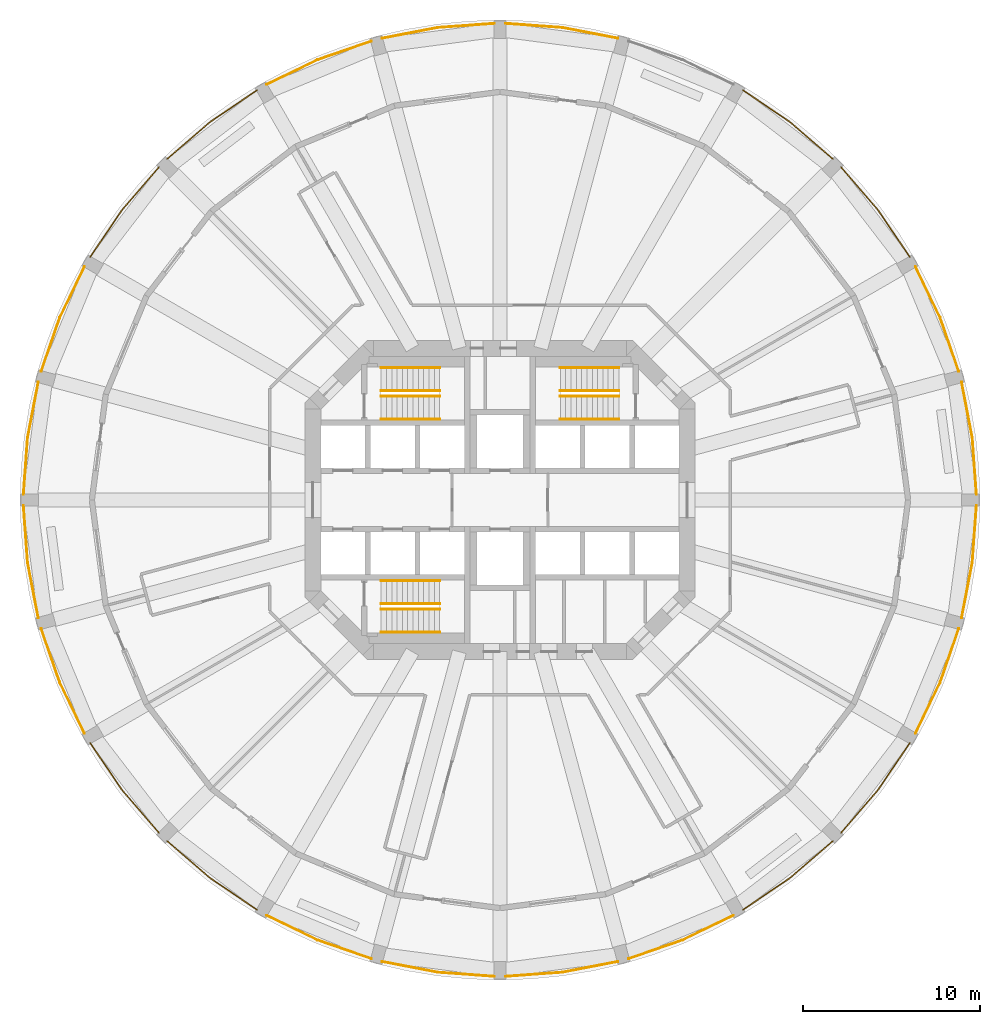
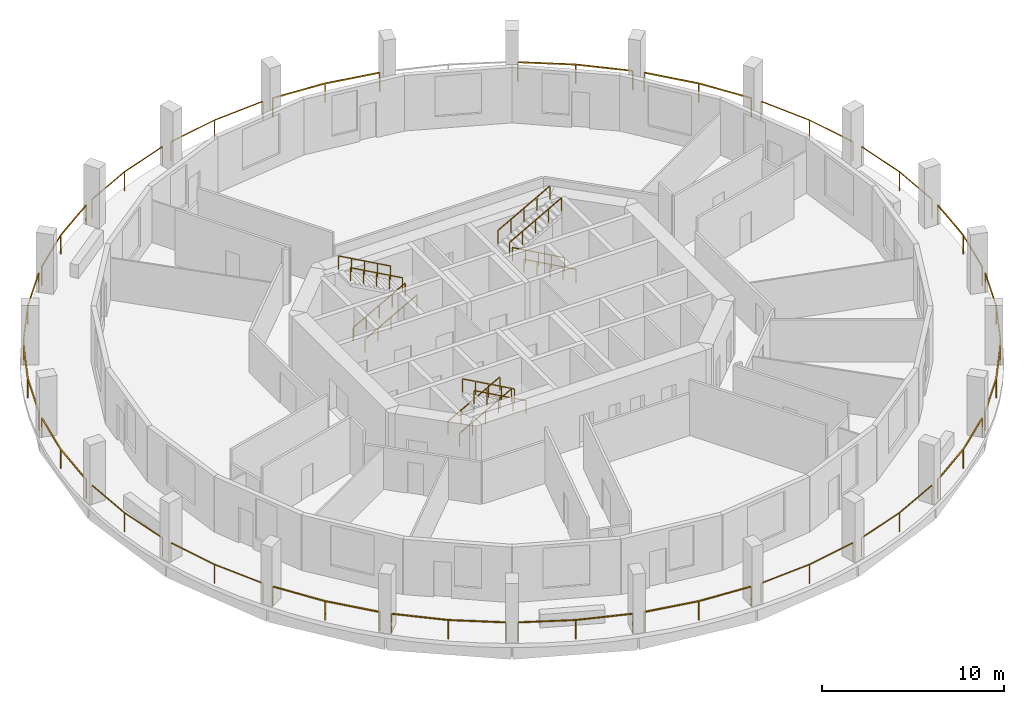
# One storey, part 8 of 9: 35 railings.
"""IFC4 building model written with IfcOpenShell, lengths in metres."""

from ifc_helpers import new_model, si_unit, direction, frame, origin, origin_2d, place, context, subcontext, project, spatial, rectangle, extrude, material, type_object, element, save


model = new_model("IFC4")

# Units and contexts
model_context = context("Model", 3, precision=1e-05, world=origin(), true_north=direction((0.0, 1.0)))
body_context = subcontext(model_context, "Body", "Model", "MODEL_VIEW")
ifc_project = project(units=[si_unit("LENGTHUNIT", "METRE"), si_unit("AREAUNIT", "SQUARE_METRE"), si_unit("VOLUMEUNIT", "CUBIC_METRE"), si_unit("PLANEANGLEUNIT", "RADIAN"), si_unit("MASSUNIT", "GRAM", prefix="KILO")], contexts=[model_context])

# Site, building, storey
site_placement = place(None, origin())
site = spatial("IfcSite", under=ifc_project, at=site_placement, CompositionType="ELEMENT")
building_placement = place(site_placement, origin())
building = spatial("IfcBuilding", under=site, at=building_placement, Name="Torre Triforio", CompositionType="ELEMENT")
storey_placement = place(building_placement, frame((0.0, 0.0, 59.0)))
storey = spatial("IfcBuildingStorey", under=building, at=storey_placement, Name="L12", CompositionType="ELEMENT", Elevation=59.0)

# Railings
ifc_material = material(Name="Stainless steel AISI 316", Category="steel")
railing_type_1 = type_object("IfcRailingType", Name="HANDRAIL 920", PredefinedType="HANDRAIL", material=ifc_material)
for number, where, name in (
    (1, (-6.699951171875, 4.550048828125, 0.166748046875), "Handrail ST1"),
    (2, (-6.699951171875, 5.85009765625, 0.166748046875), "Handrail ST1"),
):
    element("IfcRailing", number, at=place(storey_placement, frame(where)), inside=storey, type_object=railing_type_1, Name=name, PredefinedType="HANDRAIL", context=body_context, shape_type="SweptSolid", body=[
        extrude(rectangle(XDim=0.048095703125, YDim=0.048095703125, at=origin_2d()), frame((0.0, 0.0, 0.89599609375), z_axis=(0.874169478083, 0.0, 0.485620966999), x_axis=(0.0, 1.0, 0.0)), (0.0, 0.0, 1.0), 3.775146484375),
        extrude(rectangle(XDim=0.0419921875, YDim=0.0419921875, at=origin_2d()), origin(), (0.0, 0.0, 1.0), 0.871826171875),
        extrude(rectangle(XDim=0.0419921875, YDim=0.0419921875, at=origin_2d()), frame((0.824951171875, 0.0, 0.458251953125)), (0.0, 0.0, 1.0), 0.871826171875),
        extrude(rectangle(XDim=0.0419921875, YDim=0.0419921875, at=origin_2d()), frame((1.64990234375, 0.0, 0.91650390625)), (0.0, 0.0, 1.0), 0.871826171875),
        extrude(rectangle(XDim=0.0419921875, YDim=0.0419921875, at=origin_2d()), frame((2.47509765625, 0.0, 1.375)), (0.0, 0.0, 1.0), 0.871826171875),
        extrude(rectangle(XDim=0.0419921875, YDim=0.0419921875, at=origin_2d()), frame((3.300048828125, 0.0, 1.833251953125)), (0.0, 0.0, 1.0), 0.871826171875),
    ])
for number, where, name in (
    (3, (-3.39990234375, 7.449951171875, 2.166748046875), "Handrail ST1"),
    (4, (-3.39990234375, 6.14990234375, 2.166748046875), "Handrail ST1"),
    (5, (6.699951171875, 4.550048828125, 0.166748046875), "Handrail ST2"),
    (6, (6.699951171875, 5.85009765625, 0.166748046875), "Handrail ST2"),
):
    element("IfcRailing", number, at=place(storey_placement, frame(where)), inside=storey, type_object=railing_type_1, Name=name, PredefinedType="HANDRAIL", context=body_context, shape_type="SweptSolid", body=[
        extrude(rectangle(XDim=0.048095703125, YDim=0.048095703125, at=origin_2d()), frame((0.0, 0.0, 0.89599609375), z_axis=(-0.874169478083, 0.0, 0.485620966999), x_axis=(0.0, -1.0, 0.0)), (0.0, 0.0, 1.0), 3.775146484375),
        extrude(rectangle(XDim=0.0419921875, YDim=0.0419921875, at=origin_2d()), origin(), (0.0, 0.0, 1.0), 0.871826171875),
        extrude(rectangle(XDim=0.0419921875, YDim=0.0419921875, at=origin_2d()), frame((-0.824951171875, 0.0, 0.458251953125)), (0.0, 0.0, 1.0), 0.871826171875),
        extrude(rectangle(XDim=0.0419921875, YDim=0.0419921875, at=origin_2d()), frame((-1.64990234375, 0.0, 0.91650390625)), (0.0, 0.0, 1.0), 0.871826171875),
        extrude(rectangle(XDim=0.0419921875, YDim=0.0419921875, at=origin_2d()), frame((-2.47509765625, 0.0, 1.375)), (0.0, 0.0, 1.0), 0.871826171875),
        extrude(rectangle(XDim=0.0419921875, YDim=0.0419921875, at=origin_2d()), frame((-3.300048828125, 0.0, 1.833251953125)), (0.0, 0.0, 1.0), 0.871826171875),
    ])
for number, where, name in (
    (7, (3.39990234375, 7.449951171875, 2.166748046875), "Handrail ST2"),
    (8, (3.39990234375, 6.14990234375, 2.166748046875), "Handrail ST2"),
    (9, (-6.699951171875, -4.550048828125, 0.166748046875), "Handrail ST3"),
    (10, (-6.699951171875, -5.85009765625, 0.166748046875), "Handrail ST3"),
):
    element("IfcRailing", number, at=place(storey_placement, frame(where)), inside=storey, type_object=railing_type_1, Name=name, PredefinedType="HANDRAIL", context=body_context, shape_type="SweptSolid", body=[
        extrude(rectangle(XDim=0.048095703125, YDim=0.048095703125, at=origin_2d()), frame((0.0, 0.0, 0.89599609375), z_axis=(0.874169478083, 0.0, 0.485620966999), x_axis=(0.0, 1.0, 0.0)), (0.0, 0.0, 1.0), 3.775146484375),
        extrude(rectangle(XDim=0.0419921875, YDim=0.0419921875, at=origin_2d()), origin(), (0.0, 0.0, 1.0), 0.871826171875),
        extrude(rectangle(XDim=0.0419921875, YDim=0.0419921875, at=origin_2d()), frame((0.824951171875, 0.0, 0.458251953125)), (0.0, 0.0, 1.0), 0.871826171875),
        extrude(rectangle(XDim=0.0419921875, YDim=0.0419921875, at=origin_2d()), frame((1.64990234375, 0.0, 0.91650390625)), (0.0, 0.0, 1.0), 0.871826171875),
        extrude(rectangle(XDim=0.0419921875, YDim=0.0419921875, at=origin_2d()), frame((2.47509765625, 0.0, 1.375)), (0.0, 0.0, 1.0), 0.871826171875),
        extrude(rectangle(XDim=0.0419921875, YDim=0.0419921875, at=origin_2d()), frame((3.300048828125, 0.0, 1.833251953125)), (0.0, 0.0, 1.0), 0.871826171875),
    ])
for number, where, name in (
    (11, (-3.39990234375, -7.449951171875, 2.166748046875), "Handrail ST3"),
    (12, (-3.39990234375, -6.14990234375, 2.166748046875), "Handrail ST3"),
):
    element("IfcRailing", number, at=place(storey_placement, frame(where)), inside=storey, type_object=railing_type_1, Name=name, PredefinedType="HANDRAIL", context=body_context, shape_type="SweptSolid", body=[
        extrude(rectangle(XDim=0.048095703125, YDim=0.048095703125, at=origin_2d()), frame((0.0, 0.0, 0.89599609375), z_axis=(-0.874169478083, 0.0, 0.485620966999), x_axis=(0.0, -1.0, 0.0)), (0.0, 0.0, 1.0), 3.775146484375),
        extrude(rectangle(XDim=0.0419921875, YDim=0.0419921875, at=origin_2d()), origin(), (0.0, 0.0, 1.0), 0.871826171875),
        extrude(rectangle(XDim=0.0419921875, YDim=0.0419921875, at=origin_2d()), frame((-0.824951171875, 0.0, 0.458251953125)), (0.0, 0.0, 1.0), 0.871826171875),
        extrude(rectangle(XDim=0.0419921875, YDim=0.0419921875, at=origin_2d()), frame((-1.64990234375, 0.0, 0.91650390625)), (0.0, 0.0, 1.0), 0.871826171875),
        extrude(rectangle(XDim=0.0419921875, YDim=0.0419921875, at=origin_2d()), frame((-2.47509765625, 0.0, 1.375)), (0.0, 0.0, 1.0), 0.871826171875),
        extrude(rectangle(XDim=0.0419921875, YDim=0.0419921875, at=origin_2d()), frame((-3.300048828125, 0.0, 1.833251953125)), (0.0, 0.0, 1.0), 0.871826171875),
    ])
railing_type_2 = type_object("IfcRailingType", Name="Loggia guard 1300", PredefinedType="GUARDRAIL", material=ifc_material)
railing_1_placement = place(storey_placement, frame((26.85009765625, 0.320068359375, 0.0)))
element("IfcRailing", 13, at=railing_1_placement, inside=storey, type_object=railing_type_2, Name="Loggia guard L12 bay 01", PredefinedType="GUARDRAIL", context=body_context, shape_type="SweptSolid", body=[
    extrude(rectangle(XDim=0.050048828125, YDim=0.050048828125, at=origin_2d()), frame((0.0, 0.0, 1.27490234375), z_axis=(-0.071953458998, 0.997407990613, 0.0), x_axis=(-0.997407990613, -0.071953458998, 0.0)), (0.0, 0.0, 1.0), 3.19287109375),
    extrude(rectangle(XDim=0.050048828125, YDim=0.050048828125, at=origin_2d()), frame((-0.229736328125, 3.1845703125, 1.27490234375), z_axis=(-0.188714097365, 0.982032071501, 0.0), x_axis=(-0.982032071501, -0.188714097365, 0.0)), (0.0, 0.0, 1.0), 3.19287109375),
    extrude(rectangle(XDim=0.0400390625, YDim=0.0400390625, at=origin_2d()), origin(), (0.0, 0.0, 1.0), 1.25),
    extrude(rectangle(XDim=0.0400390625, YDim=0.0400390625, at=origin_2d()), frame((-0.229736328125, 3.1845703125, 0.0)), (0.0, 0.0, 1.0), 1.25),
    extrude(rectangle(XDim=0.0400390625, YDim=0.0400390625, at=origin_2d()), frame((-0.832275390625, 6.320068359375, 0.0)), (0.0, 0.0, 1.0), 1.25),
])
railing_2_placement = place(storey_placement, frame((25.852294921875, 7.25830078125, 0.0)))
element("IfcRailing", 14, at=railing_2_placement, inside=storey, type_object=railing_type_2, Name="Loggia guard L12 bay 02", PredefinedType="GUARDRAIL", context=body_context, shape_type="SweptSolid", body=[
    extrude(rectangle(XDim=0.050048828125, YDim=0.050048828125, at=origin_2d()), frame((0.0, 0.0, 1.27490234375), z_axis=(-0.327627852034, 0.94480685358, 0.0), x_axis=(-0.94480685358, -0.327627852034, 0.0)), (0.0, 0.0, 1.0), 3.193115234375),
    extrude(rectangle(XDim=0.050048828125, YDim=0.050048828125, at=origin_2d()), frame((-1.046142578125, 3.016845703125, 1.27490234375), z_axis=(-0.436384192305, 0.899760432952, 0.0), x_axis=(-0.899760432952, -0.436384192305, 0.0)), (0.0, 0.0, 1.0), 3.19287109375),
    extrude(rectangle(XDim=0.0400390625, YDim=0.0400390625, at=origin_2d()), origin(), (0.0, 0.0, 1.0), 1.25),
    extrude(rectangle(XDim=0.0400390625, YDim=0.0400390625, at=origin_2d()), frame((-1.046142578125, 3.016845703125, 0.0)), (0.0, 0.0, 1.0), 1.25),
    extrude(rectangle(XDim=0.0400390625, YDim=0.0400390625, at=origin_2d()), frame((-2.439453125, 5.8896484375, 0.0)), (0.0, 0.0, 1.0), 1.25),
])
railing_3_placement = place(storey_placement, frame((23.0927734375, 13.7021484375, 0.0)))
element("IfcRailing", 15, at=railing_3_placement, inside=storey, type_object=railing_type_2, Name="Loggia guard L12 bay 03", PredefinedType="GUARDRAIL", context=body_context, shape_type="SweptSolid", body=[
    extrude(rectangle(XDim=0.050048828125, YDim=0.050048828125, at=origin_2d()), frame((0.0, 0.0, 1.27490234375), z_axis=(-0.561018896338, 0.82780299465, 0.0), x_axis=(-0.82780299465, -0.561018896338, 0.0)), (0.0, 0.0, 1.0), 3.19287109375),
    extrude(rectangle(XDim=0.050048828125, YDim=0.050048828125, at=origin_2d()), frame((-1.791259765625, 2.64306640625, 1.27490234375), z_axis=(-0.654385993255, 0.756160678581, 0.0), x_axis=(-0.756160678581, -0.654385993255, 0.0)), (0.0, 0.0, 1.0), 3.19287109375),
    extrude(rectangle(XDim=0.0400390625, YDim=0.0400390625, at=origin_2d()), origin(), (0.0, 0.0, 1.0), 1.25),
    extrude(rectangle(XDim=0.0400390625, YDim=0.0400390625, at=origin_2d()), frame((-1.791259765625, 2.64306640625, 0.0)), (0.0, 0.0, 1.0), 1.25),
    extrude(rectangle(XDim=0.0400390625, YDim=0.0400390625, at=origin_2d()), frame((-3.880615234375, 5.057373046875, 0.0)), (0.0, 0.0, 1.0), 1.25),
])
railing_4_placement = place(storey_placement, frame((18.759521484375, 19.212158203125, 0.0)))
element("IfcRailing", 16, at=railing_4_placement, inside=storey, type_object=railing_type_2, Name="Loggia guard L12 bay 04", PredefinedType="GUARDRAIL", context=body_context, shape_type="SweptSolid", body=[
    extrude(rectangle(XDim=0.050048828125, YDim=0.050048828125, at=origin_2d()), frame((0.0, 0.0, 1.27490234375), z_axis=(-0.756160678581, 0.654385993255, 0.0), x_axis=(-0.654385993255, -0.756160678581, 0.0)), (0.0, 0.0, 1.0), 3.19287109375),
    extrude(rectangle(XDim=0.050048828125, YDim=0.050048828125, at=origin_2d()), frame((-2.414306640625, 2.08935546875, 1.27490234375), z_axis=(-0.82780299465, 0.561018896338, 0.0), x_axis=(-0.561018896338, -0.82780299465, 0.0)), (0.0, 0.0, 1.0), 3.19287109375),
    extrude(rectangle(XDim=0.0400390625, YDim=0.0400390625, at=origin_2d()), origin(), (0.0, 0.0, 1.0), 1.25),
    extrude(rectangle(XDim=0.0400390625, YDim=0.0400390625, at=origin_2d()), frame((-2.414306640625, 2.08935546875, 0.0)), (0.0, 0.0, 1.0), 1.25),
    extrude(rectangle(XDim=0.0400390625, YDim=0.0400390625, at=origin_2d()), frame((-5.057373046875, 3.880615234375, 0.0)), (0.0, 0.0, 1.0), 1.25),
])
railing_5_placement = place(storey_placement, frame((6.64013671875, 26.017822265625, 0.0)))
element("IfcRailing", 17, at=railing_5_placement, inside=storey, type_object=railing_type_2, Name="Loggia guard L12 bay 06", PredefinedType="GUARDRAIL", context=body_context, shape_type="SweptSolid", body=[
    extrude(rectangle(XDim=0.050048828125, YDim=0.050048828125, at=origin_2d()), frame((0.0, 0.0, 1.27490234375), z_axis=(-0.982032071501, 0.188714097365, 0.0), x_axis=(-0.188714097365, -0.982032071501, 0.0)), (0.0, 0.0, 1.0), 3.19287109375),
    extrude(rectangle(XDim=0.050048828125, YDim=0.050048828125, at=origin_2d()), frame((-3.135498046875, 0.6025390625, 1.27490234375), z_axis=(-0.997407990613, 0.071953458998, 0.0), x_axis=(-0.071953458998, -0.997407990613, 0.0)), (0.0, 0.0, 1.0), 3.19287109375),
    extrude(rectangle(XDim=0.0400390625, YDim=0.0400390625, at=origin_2d()), origin(), (0.0, 0.0, 1.0), 1.25),
    extrude(rectangle(XDim=0.0400390625, YDim=0.0400390625, at=origin_2d()), frame((-3.135498046875, 0.6025390625, 0.0)), (0.0, 0.0, 1.0), 1.25),
    extrude(rectangle(XDim=0.0400390625, YDim=0.0400390625, at=origin_2d()), frame((-6.320068359375, 0.832275390625, 0.0)), (0.0, 0.0, 1.0), 1.25),
])
railing_6_placement = place(storey_placement, frame((-0.320068359375, 26.85009765625, 0.0)))
element("IfcRailing", 18, at=railing_6_placement, inside=storey, type_object=railing_type_2, Name="Loggia guard L12 bay 07", PredefinedType="GUARDRAIL", context=body_context, shape_type="SweptSolid", body=[
    extrude(rectangle(XDim=0.050048828125, YDim=0.050048828125, at=origin_2d()), frame((0.0, 0.0, 1.27490234375), z_axis=(-0.997407990613, -0.071953458998, 0.0), x_axis=(0.071953458998, -0.997407990613, 0.0)), (0.0, 0.0, 1.0), 3.19287109375),
    extrude(rectangle(XDim=0.050048828125, YDim=0.050048828125, at=origin_2d()), frame((-3.1845703125, -0.229736328125, 1.27490234375), z_axis=(-0.982032071501, -0.188714097365, 0.0), x_axis=(0.188714097365, -0.982032071501, 0.0)), (0.0, 0.0, 1.0), 3.19287109375),
    extrude(rectangle(XDim=0.0400390625, YDim=0.0400390625, at=origin_2d()), origin(), (0.0, 0.0, 1.0), 1.25),
    extrude(rectangle(XDim=0.0400390625, YDim=0.0400390625, at=origin_2d()), frame((-3.1845703125, -0.229736328125, 0.0)), (0.0, 0.0, 1.0), 1.25),
    extrude(rectangle(XDim=0.0400390625, YDim=0.0400390625, at=origin_2d()), frame((-6.320068359375, -0.832275390625, 0.0)), (0.0, 0.0, 1.0), 1.25),
])
railing_7_placement = place(storey_placement, frame((-7.25830078125, 25.852294921875, 0.0)))
element("IfcRailing", 19, at=railing_7_placement, inside=storey, type_object=railing_type_2, Name="Loggia guard L12 bay 08", PredefinedType="GUARDRAIL", context=body_context, shape_type="SweptSolid", body=[
    extrude(rectangle(XDim=0.050048828125, YDim=0.050048828125, at=origin_2d()), frame((0.0, 0.0, 1.27490234375), z_axis=(-0.94480685358, -0.327627852034, 0.0), x_axis=(0.327627852034, -0.94480685358, 0.0)), (0.0, 0.0, 1.0), 3.193115234375),
    extrude(rectangle(XDim=0.050048828125, YDim=0.050048828125, at=origin_2d()), frame((-3.016845703125, -1.046142578125, 1.27490234375), z_axis=(-0.899760432952, -0.436384192305, 0.0), x_axis=(0.436384192305, -0.899760432952, 0.0)), (0.0, 0.0, 1.0), 3.19287109375),
    extrude(rectangle(XDim=0.0400390625, YDim=0.0400390625, at=origin_2d()), origin(), (0.0, 0.0, 1.0), 1.25),
    extrude(rectangle(XDim=0.0400390625, YDim=0.0400390625, at=origin_2d()), frame((-3.016845703125, -1.046142578125, 0.0)), (0.0, 0.0, 1.0), 1.25),
    extrude(rectangle(XDim=0.0400390625, YDim=0.0400390625, at=origin_2d()), frame((-5.8896484375, -2.439453125, 0.0)), (0.0, 0.0, 1.0), 1.25),
])
railing_8_placement = place(storey_placement, frame((-13.7021484375, 23.0927734375, 0.0)))
element("IfcRailing", 20, at=railing_8_placement, inside=storey, type_object=railing_type_2, Name="Loggia guard L12 bay 09", PredefinedType="GUARDRAIL", context=body_context, shape_type="SweptSolid", body=[
    extrude(rectangle(XDim=0.050048828125, YDim=0.050048828125, at=origin_2d()), frame((0.0, 0.0, 1.27490234375), z_axis=(-0.82780299465, -0.561018896338, 0.0), x_axis=(0.561018896338, -0.82780299465, 0.0)), (0.0, 0.0, 1.0), 3.19287109375),
    extrude(rectangle(XDim=0.050048828125, YDim=0.050048828125, at=origin_2d()), frame((-2.64306640625, -1.791259765625, 1.27490234375), z_axis=(-0.756160678581, -0.654385993255, 0.0), x_axis=(0.654385993255, -0.756160678581, 0.0)), (0.0, 0.0, 1.0), 3.19287109375),
    extrude(rectangle(XDim=0.0400390625, YDim=0.0400390625, at=origin_2d()), origin(), (0.0, 0.0, 1.0), 1.25),
    extrude(rectangle(XDim=0.0400390625, YDim=0.0400390625, at=origin_2d()), frame((-2.64306640625, -1.791259765625, 0.0)), (0.0, 0.0, 1.0), 1.25),
    extrude(rectangle(XDim=0.0400390625, YDim=0.0400390625, at=origin_2d()), frame((-5.057373046875, -3.880615234375, 0.0)), (0.0, 0.0, 1.0), 1.25),
])
railing_9_placement = place(storey_placement, frame((-19.212158203125, 18.759521484375, 0.0)))
element("IfcRailing", 21, at=railing_9_placement, inside=storey, type_object=railing_type_2, Name="Loggia guard L12 bay 10", PredefinedType="GUARDRAIL", context=body_context, shape_type="SweptSolid", body=[
    extrude(rectangle(XDim=0.050048828125, YDim=0.050048828125, at=origin_2d()), frame((0.0, 0.0, 1.27490234375), z_axis=(-0.654385993255, -0.756160678581, 0.0), x_axis=(0.756160678581, -0.654385993255, 0.0)), (0.0, 0.0, 1.0), 3.19287109375),
    extrude(rectangle(XDim=0.050048828125, YDim=0.050048828125, at=origin_2d()), frame((-2.08935546875, -2.414306640625, 1.27490234375), z_axis=(-0.561018896338, -0.82780299465, 0.0), x_axis=(0.82780299465, -0.561018896338, 0.0)), (0.0, 0.0, 1.0), 3.19287109375),
    extrude(rectangle(XDim=0.0400390625, YDim=0.0400390625, at=origin_2d()), origin(), (0.0, 0.0, 1.0), 1.25),
    extrude(rectangle(XDim=0.0400390625, YDim=0.0400390625, at=origin_2d()), frame((-2.08935546875, -2.414306640625, 0.0)), (0.0, 0.0, 1.0), 1.25),
    extrude(rectangle(XDim=0.0400390625, YDim=0.0400390625, at=origin_2d()), frame((-3.880615234375, -5.057373046875, 0.0)), (0.0, 0.0, 1.0), 1.25),
])
railing_10_placement = place(storey_placement, frame((-23.412841796875, 13.14794921875, 0.0)))
element("IfcRailing", 22, at=railing_10_placement, inside=storey, type_object=railing_type_2, Name="Loggia guard L12 bay 11", PredefinedType="GUARDRAIL", context=body_context, shape_type="SweptSolid", body=[
    extrude(rectangle(XDim=0.050048828125, YDim=0.050048828125, at=origin_2d()), frame((0.0, 0.0, 1.27490234375), z_axis=(-0.436384192305, -0.899760432952, 0.0), x_axis=(0.899760432952, -0.436384192305, 0.0)), (0.0, 0.0, 1.0), 3.19287109375),
    extrude(rectangle(XDim=0.050048828125, YDim=0.050048828125, at=origin_2d()), frame((-1.393310546875, -2.872802734375, 1.27490234375), z_axis=(-0.327627852034, -0.94480685358, 0.0), x_axis=(0.94480685358, -0.327627852034, 0.0)), (0.0, 0.0, 1.0), 3.193115234375),
    extrude(rectangle(XDim=0.0400390625, YDim=0.0400390625, at=origin_2d()), origin(), (0.0, 0.0, 1.0), 1.25),
    extrude(rectangle(XDim=0.0400390625, YDim=0.0400390625, at=origin_2d()), frame((-1.393310546875, -2.872802734375, 0.0)), (0.0, 0.0, 1.0), 1.25),
    extrude(rectangle(XDim=0.0400390625, YDim=0.0400390625, at=origin_2d()), frame((-2.439453125, -5.8896484375, 0.0)), (0.0, 0.0, 1.0), 1.25),
])
railing_11_placement = place(storey_placement, frame((-26.017822265625, 6.64013671875, 0.0)))
element("IfcRailing", 23, at=railing_11_placement, inside=storey, type_object=railing_type_2, Name="Loggia guard L12 bay 12", PredefinedType="GUARDRAIL", context=body_context, shape_type="SweptSolid", body=[
    extrude(rectangle(XDim=0.050048828125, YDim=0.050048828125, at=origin_2d()), frame((0.0, 0.0, 1.27490234375), z_axis=(-0.188714097365, -0.982032071501, 0.0), x_axis=(0.982032071501, -0.188714097365, 0.0)), (0.0, 0.0, 1.0), 3.19287109375),
    extrude(rectangle(XDim=0.050048828125, YDim=0.050048828125, at=origin_2d()), frame((-0.6025390625, -3.135498046875, 1.27490234375), z_axis=(-0.071953458998, -0.997407990613, 0.0), x_axis=(0.997407990613, -0.071953458998, 0.0)), (0.0, 0.0, 1.0), 3.19287109375),
    extrude(rectangle(XDim=0.0400390625, YDim=0.0400390625, at=origin_2d()), origin(), (0.0, 0.0, 1.0), 1.25),
    extrude(rectangle(XDim=0.0400390625, YDim=0.0400390625, at=origin_2d()), frame((-0.6025390625, -3.135498046875, 0.0)), (0.0, 0.0, 1.0), 1.25),
    extrude(rectangle(XDim=0.0400390625, YDim=0.0400390625, at=origin_2d()), frame((-0.832275390625, -6.320068359375, 0.0)), (0.0, 0.0, 1.0), 1.25),
])
railing_12_placement = place(storey_placement, frame((-26.85009765625, -0.320068359375, 0.0)))
element("IfcRailing", 24, at=railing_12_placement, inside=storey, type_object=railing_type_2, Name="Loggia guard L12 bay 13", PredefinedType="GUARDRAIL", context=body_context, shape_type="SweptSolid", body=[
    extrude(rectangle(XDim=0.050048828125, YDim=0.050048828125, at=origin_2d()), frame((0.0, 0.0, 1.27490234375), z_axis=(0.071953458998, -0.997407990613, 0.0), x_axis=(0.997407990613, 0.071953458998, 0.0)), (0.0, 0.0, 1.0), 3.19287109375),
    extrude(rectangle(XDim=0.050048828125, YDim=0.050048828125, at=origin_2d()), frame((0.229736328125, -3.1845703125, 1.27490234375), z_axis=(0.188714097365, -0.982032071501, 0.0), x_axis=(0.982032071501, 0.188714097365, 0.0)), (0.0, 0.0, 1.0), 3.19287109375),
    extrude(rectangle(XDim=0.0400390625, YDim=0.0400390625, at=origin_2d()), origin(), (0.0, 0.0, 1.0), 1.25),
    extrude(rectangle(XDim=0.0400390625, YDim=0.0400390625, at=origin_2d()), frame((0.229736328125, -3.1845703125, 0.0)), (0.0, 0.0, 1.0), 1.25),
    extrude(rectangle(XDim=0.0400390625, YDim=0.0400390625, at=origin_2d()), frame((0.832275390625, -6.320068359375, 0.0)), (0.0, 0.0, 1.0), 1.25),
])
railing_13_placement = place(storey_placement, frame((-25.852294921875, -7.25830078125, 0.0)))
element("IfcRailing", 25, at=railing_13_placement, inside=storey, type_object=railing_type_2, Name="Loggia guard L12 bay 14", PredefinedType="GUARDRAIL", context=body_context, shape_type="SweptSolid", body=[
    extrude(rectangle(XDim=0.050048828125, YDim=0.050048828125, at=origin_2d()), frame((0.0, 0.0, 1.27490234375), z_axis=(0.327627852034, -0.94480685358, 0.0), x_axis=(0.94480685358, 0.327627852034, 0.0)), (0.0, 0.0, 1.0), 3.193115234375),
    extrude(rectangle(XDim=0.050048828125, YDim=0.050048828125, at=origin_2d()), frame((1.046142578125, -3.016845703125, 1.27490234375), z_axis=(0.436384192305, -0.899760432952, 0.0), x_axis=(0.899760432952, 0.436384192305, 0.0)), (0.0, 0.0, 1.0), 3.19287109375),
    extrude(rectangle(XDim=0.0400390625, YDim=0.0400390625, at=origin_2d()), origin(), (0.0, 0.0, 1.0), 1.25),
    extrude(rectangle(XDim=0.0400390625, YDim=0.0400390625, at=origin_2d()), frame((1.046142578125, -3.016845703125, 0.0)), (0.0, 0.0, 1.0), 1.25),
    extrude(rectangle(XDim=0.0400390625, YDim=0.0400390625, at=origin_2d()), frame((2.439453125, -5.8896484375, 0.0)), (0.0, 0.0, 1.0), 1.25),
])
railing_14_placement = place(storey_placement, frame((-23.0927734375, -13.7021484375, 0.0)))
element("IfcRailing", 26, at=railing_14_placement, inside=storey, type_object=railing_type_2, Name="Loggia guard L12 bay 15", PredefinedType="GUARDRAIL", context=body_context, shape_type="SweptSolid", body=[
    extrude(rectangle(XDim=0.050048828125, YDim=0.050048828125, at=origin_2d()), frame((0.0, 0.0, 1.27490234375), z_axis=(0.561018896338, -0.82780299465, 0.0), x_axis=(0.82780299465, 0.561018896338, 0.0)), (0.0, 0.0, 1.0), 3.19287109375),
    extrude(rectangle(XDim=0.050048828125, YDim=0.050048828125, at=origin_2d()), frame((1.791259765625, -2.64306640625, 1.27490234375), z_axis=(0.654385993255, -0.756160678581, 0.0), x_axis=(0.756160678581, 0.654385993255, 0.0)), (0.0, 0.0, 1.0), 3.19287109375),
    extrude(rectangle(XDim=0.0400390625, YDim=0.0400390625, at=origin_2d()), origin(), (0.0, 0.0, 1.0), 1.25),
    extrude(rectangle(XDim=0.0400390625, YDim=0.0400390625, at=origin_2d()), frame((1.791259765625, -2.64306640625, 0.0)), (0.0, 0.0, 1.0), 1.25),
    extrude(rectangle(XDim=0.0400390625, YDim=0.0400390625, at=origin_2d()), frame((3.880615234375, -5.057373046875, 0.0)), (0.0, 0.0, 1.0), 1.25),
])
railing_15_placement = place(storey_placement, frame((-18.759521484375, -19.212158203125, 0.0)))
element("IfcRailing", 27, at=railing_15_placement, inside=storey, type_object=railing_type_2, Name="Loggia guard L12 bay 16", PredefinedType="GUARDRAIL", context=body_context, shape_type="SweptSolid", body=[
    extrude(rectangle(XDim=0.050048828125, YDim=0.050048828125, at=origin_2d()), frame((0.0, 0.0, 1.27490234375), z_axis=(0.756160678581, -0.654385993255, 0.0), x_axis=(0.654385993255, 0.756160678581, 0.0)), (0.0, 0.0, 1.0), 3.19287109375),
    extrude(rectangle(XDim=0.050048828125, YDim=0.050048828125, at=origin_2d()), frame((2.414306640625, -2.08935546875, 1.27490234375), z_axis=(0.82780299465, -0.561018896338, 0.0), x_axis=(0.561018896338, 0.82780299465, 0.0)), (0.0, 0.0, 1.0), 3.19287109375),
    extrude(rectangle(XDim=0.0400390625, YDim=0.0400390625, at=origin_2d()), origin(), (0.0, 0.0, 1.0), 1.25),
    extrude(rectangle(XDim=0.0400390625, YDim=0.0400390625, at=origin_2d()), frame((2.414306640625, -2.08935546875, 0.0)), (0.0, 0.0, 1.0), 1.25),
    extrude(rectangle(XDim=0.0400390625, YDim=0.0400390625, at=origin_2d()), frame((5.057373046875, -3.880615234375, 0.0)), (0.0, 0.0, 1.0), 1.25),
])
railing_16_placement = place(storey_placement, frame((-13.14794921875, -23.412841796875, 0.0)))
element("IfcRailing", 28, at=railing_16_placement, inside=storey, type_object=railing_type_2, Name="Loggia guard L12 bay 17", PredefinedType="GUARDRAIL", context=body_context, shape_type="SweptSolid", body=[
    extrude(rectangle(XDim=0.050048828125, YDim=0.050048828125, at=origin_2d()), frame((0.0, 0.0, 1.27490234375), z_axis=(0.899760432952, -0.436384192305, 0.0), x_axis=(0.436384192305, 0.899760432952, 0.0)), (0.0, 0.0, 1.0), 3.19287109375),
    extrude(rectangle(XDim=0.050048828125, YDim=0.050048828125, at=origin_2d()), frame((2.872802734375, -1.393310546875, 1.27490234375), z_axis=(0.94480685358, -0.327627852034, 0.0), x_axis=(0.327627852034, 0.94480685358, 0.0)), (0.0, 0.0, 1.0), 3.193115234375),
    extrude(rectangle(XDim=0.0400390625, YDim=0.0400390625, at=origin_2d()), origin(), (0.0, 0.0, 1.0), 1.25),
    extrude(rectangle(XDim=0.0400390625, YDim=0.0400390625, at=origin_2d()), frame((2.872802734375, -1.393310546875, 0.0)), (0.0, 0.0, 1.0), 1.25),
    extrude(rectangle(XDim=0.0400390625, YDim=0.0400390625, at=origin_2d()), frame((5.8896484375, -2.439453125, 0.0)), (0.0, 0.0, 1.0), 1.25),
])
railing_17_placement = place(storey_placement, frame((-6.64013671875, -26.017822265625, 0.0)))
element("IfcRailing", 29, at=railing_17_placement, inside=storey, type_object=railing_type_2, Name="Loggia guard L12 bay 18", PredefinedType="GUARDRAIL", context=body_context, shape_type="SweptSolid", body=[
    extrude(rectangle(XDim=0.050048828125, YDim=0.050048828125, at=origin_2d()), frame((0.0, 0.0, 1.27490234375), z_axis=(0.982032071501, -0.188714097365, 0.0), x_axis=(0.188714097365, 0.982032071501, 0.0)), (0.0, 0.0, 1.0), 3.19287109375),
    extrude(rectangle(XDim=0.050048828125, YDim=0.050048828125, at=origin_2d()), frame((3.135498046875, -0.6025390625, 1.27490234375), z_axis=(0.997407990613, -0.071953458998, 0.0), x_axis=(0.071953458998, 0.997407990613, 0.0)), (0.0, 0.0, 1.0), 3.19287109375),
    extrude(rectangle(XDim=0.0400390625, YDim=0.0400390625, at=origin_2d()), origin(), (0.0, 0.0, 1.0), 1.25),
    extrude(rectangle(XDim=0.0400390625, YDim=0.0400390625, at=origin_2d()), frame((3.135498046875, -0.6025390625, 0.0)), (0.0, 0.0, 1.0), 1.25),
    extrude(rectangle(XDim=0.0400390625, YDim=0.0400390625, at=origin_2d()), frame((6.320068359375, -0.832275390625, 0.0)), (0.0, 0.0, 1.0), 1.25),
])
railing_18_placement = place(storey_placement, frame((0.320068359375, -26.85009765625, 0.0)))
element("IfcRailing", 30, at=railing_18_placement, inside=storey, type_object=railing_type_2, Name="Loggia guard L12 bay 19", PredefinedType="GUARDRAIL", context=body_context, shape_type="SweptSolid", body=[
    extrude(rectangle(XDim=0.050048828125, YDim=0.050048828125, at=origin_2d()), frame((0.0, 0.0, 1.27490234375), z_axis=(0.997407990613, 0.071953458998, 0.0), x_axis=(-0.071953458998, 0.997407990613, 0.0)), (0.0, 0.0, 1.0), 3.19287109375),
    extrude(rectangle(XDim=0.050048828125, YDim=0.050048828125, at=origin_2d()), frame((3.1845703125, 0.229736328125, 1.27490234375), z_axis=(0.982032071501, 0.188714097365, 0.0), x_axis=(-0.188714097365, 0.982032071501, 0.0)), (0.0, 0.0, 1.0), 3.19287109375),
    extrude(rectangle(XDim=0.0400390625, YDim=0.0400390625, at=origin_2d()), origin(), (0.0, 0.0, 1.0), 1.25),
    extrude(rectangle(XDim=0.0400390625, YDim=0.0400390625, at=origin_2d()), frame((3.1845703125, 0.229736328125, 0.0)), (0.0, 0.0, 1.0), 1.25),
    extrude(rectangle(XDim=0.0400390625, YDim=0.0400390625, at=origin_2d()), frame((6.320068359375, 0.832275390625, 0.0)), (0.0, 0.0, 1.0), 1.25),
])
railing_19_placement = place(storey_placement, frame((7.25830078125, -25.852294921875, 0.0)))
element("IfcRailing", 31, at=railing_19_placement, inside=storey, type_object=railing_type_2, Name="Loggia guard L12 bay 20", PredefinedType="GUARDRAIL", context=body_context, shape_type="SweptSolid", body=[
    extrude(rectangle(XDim=0.050048828125, YDim=0.050048828125, at=origin_2d()), frame((0.0, 0.0, 1.27490234375), z_axis=(0.94480685358, 0.327627852034, 0.0), x_axis=(-0.327627852034, 0.94480685358, 0.0)), (0.0, 0.0, 1.0), 3.193115234375),
    extrude(rectangle(XDim=0.050048828125, YDim=0.050048828125, at=origin_2d()), frame((3.016845703125, 1.046142578125, 1.27490234375), z_axis=(0.899760432952, 0.436384192305, 0.0), x_axis=(-0.436384192305, 0.899760432952, 0.0)), (0.0, 0.0, 1.0), 3.19287109375),
    extrude(rectangle(XDim=0.0400390625, YDim=0.0400390625, at=origin_2d()), origin(), (0.0, 0.0, 1.0), 1.25),
    extrude(rectangle(XDim=0.0400390625, YDim=0.0400390625, at=origin_2d()), frame((3.016845703125, 1.046142578125, 0.0)), (0.0, 0.0, 1.0), 1.25),
    extrude(rectangle(XDim=0.0400390625, YDim=0.0400390625, at=origin_2d()), frame((5.8896484375, 2.439453125, 0.0)), (0.0, 0.0, 1.0), 1.25),
])
railing_20_placement = place(storey_placement, frame((13.7021484375, -23.0927734375, 0.0)))
element("IfcRailing", 32, at=railing_20_placement, inside=storey, type_object=railing_type_2, Name="Loggia guard L12 bay 21", PredefinedType="GUARDRAIL", context=body_context, shape_type="SweptSolid", body=[
    extrude(rectangle(XDim=0.050048828125, YDim=0.050048828125, at=origin_2d()), frame((0.0, 0.0, 1.27490234375), z_axis=(0.82780299465, 0.561018896338, 0.0), x_axis=(-0.561018896338, 0.82780299465, 0.0)), (0.0, 0.0, 1.0), 3.19287109375),
    extrude(rectangle(XDim=0.050048828125, YDim=0.050048828125, at=origin_2d()), frame((2.64306640625, 1.791259765625, 1.27490234375), z_axis=(0.756160678581, 0.654385993255, 0.0), x_axis=(-0.654385993255, 0.756160678581, 0.0)), (0.0, 0.0, 1.0), 3.19287109375),
    extrude(rectangle(XDim=0.0400390625, YDim=0.0400390625, at=origin_2d()), origin(), (0.0, 0.0, 1.0), 1.25),
    extrude(rectangle(XDim=0.0400390625, YDim=0.0400390625, at=origin_2d()), frame((2.64306640625, 1.791259765625, 0.0)), (0.0, 0.0, 1.0), 1.25),
    extrude(rectangle(XDim=0.0400390625, YDim=0.0400390625, at=origin_2d()), frame((5.057373046875, 3.880615234375, 0.0)), (0.0, 0.0, 1.0), 1.25),
])
railing_21_placement = place(storey_placement, frame((19.212158203125, -18.759521484375, 0.0)))
element("IfcRailing", 33, at=railing_21_placement, inside=storey, type_object=railing_type_2, Name="Loggia guard L12 bay 22", PredefinedType="GUARDRAIL", context=body_context, shape_type="SweptSolid", body=[
    extrude(rectangle(XDim=0.050048828125, YDim=0.050048828125, at=origin_2d()), frame((0.0, 0.0, 1.27490234375), z_axis=(0.654385993255, 0.756160678581, 0.0), x_axis=(-0.756160678581, 0.654385993255, 0.0)), (0.0, 0.0, 1.0), 3.19287109375),
    extrude(rectangle(XDim=0.050048828125, YDim=0.050048828125, at=origin_2d()), frame((2.08935546875, 2.414306640625, 1.27490234375), z_axis=(0.561018896338, 0.82780299465, 0.0), x_axis=(-0.82780299465, 0.561018896338, 0.0)), (0.0, 0.0, 1.0), 3.19287109375),
    extrude(rectangle(XDim=0.0400390625, YDim=0.0400390625, at=origin_2d()), origin(), (0.0, 0.0, 1.0), 1.25),
    extrude(rectangle(XDim=0.0400390625, YDim=0.0400390625, at=origin_2d()), frame((2.08935546875, 2.414306640625, 0.0)), (0.0, 0.0, 1.0), 1.25),
    extrude(rectangle(XDim=0.0400390625, YDim=0.0400390625, at=origin_2d()), frame((3.880615234375, 5.057373046875, 0.0)), (0.0, 0.0, 1.0), 1.25),
])
railing_22_placement = place(storey_placement, frame((23.412841796875, -13.14794921875, 0.0)))
element("IfcRailing", 34, at=railing_22_placement, inside=storey, type_object=railing_type_2, Name="Loggia guard L12 bay 23", PredefinedType="GUARDRAIL", context=body_context, shape_type="SweptSolid", body=[
    extrude(rectangle(XDim=0.050048828125, YDim=0.050048828125, at=origin_2d()), frame((0.0, 0.0, 1.27490234375), z_axis=(0.436384192305, 0.899760432952, 0.0), x_axis=(-0.899760432952, 0.436384192305, 0.0)), (0.0, 0.0, 1.0), 3.19287109375),
    extrude(rectangle(XDim=0.050048828125, YDim=0.050048828125, at=origin_2d()), frame((1.393310546875, 2.872802734375, 1.27490234375), z_axis=(0.327627852034, 0.94480685358, 0.0), x_axis=(-0.94480685358, 0.327627852034, 0.0)), (0.0, 0.0, 1.0), 3.193115234375),
    extrude(rectangle(XDim=0.0400390625, YDim=0.0400390625, at=origin_2d()), origin(), (0.0, 0.0, 1.0), 1.25),
    extrude(rectangle(XDim=0.0400390625, YDim=0.0400390625, at=origin_2d()), frame((1.393310546875, 2.872802734375, 0.0)), (0.0, 0.0, 1.0), 1.25),
    extrude(rectangle(XDim=0.0400390625, YDim=0.0400390625, at=origin_2d()), frame((2.439453125, 5.8896484375, 0.0)), (0.0, 0.0, 1.0), 1.25),
])
railing_23_placement = place(storey_placement, frame((26.017822265625, -6.64013671875, 0.0)))
element("IfcRailing", 35, at=railing_23_placement, inside=storey, type_object=railing_type_2, Name="Loggia guard L12 bay 24", PredefinedType="GUARDRAIL", context=body_context, shape_type="SweptSolid", body=[
    extrude(rectangle(XDim=0.050048828125, YDim=0.050048828125, at=origin_2d()), frame((0.0, 0.0, 1.27490234375), z_axis=(0.188714097365, 0.982032071501, 0.0), x_axis=(-0.982032071501, 0.188714097365, 0.0)), (0.0, 0.0, 1.0), 3.19287109375),
    extrude(rectangle(XDim=0.050048828125, YDim=0.050048828125, at=origin_2d()), frame((0.6025390625, 3.135498046875, 1.27490234375), z_axis=(0.071953458998, 0.997407990613, 0.0), x_axis=(-0.997407990613, 0.071953458998, 0.0)), (0.0, 0.0, 1.0), 3.19287109375),
    extrude(rectangle(XDim=0.0400390625, YDim=0.0400390625, at=origin_2d()), origin(), (0.0, 0.0, 1.0), 1.25),
    extrude(rectangle(XDim=0.0400390625, YDim=0.0400390625, at=origin_2d()), frame((0.6025390625, 3.135498046875, 0.0)), (0.0, 0.0, 1.0), 1.25),
    extrude(rectangle(XDim=0.0400390625, YDim=0.0400390625, at=origin_2d()), frame((0.832275390625, 6.320068359375, 0.0)), (0.0, 0.0, 1.0), 1.25),
])

save(model, "model.ifc")
